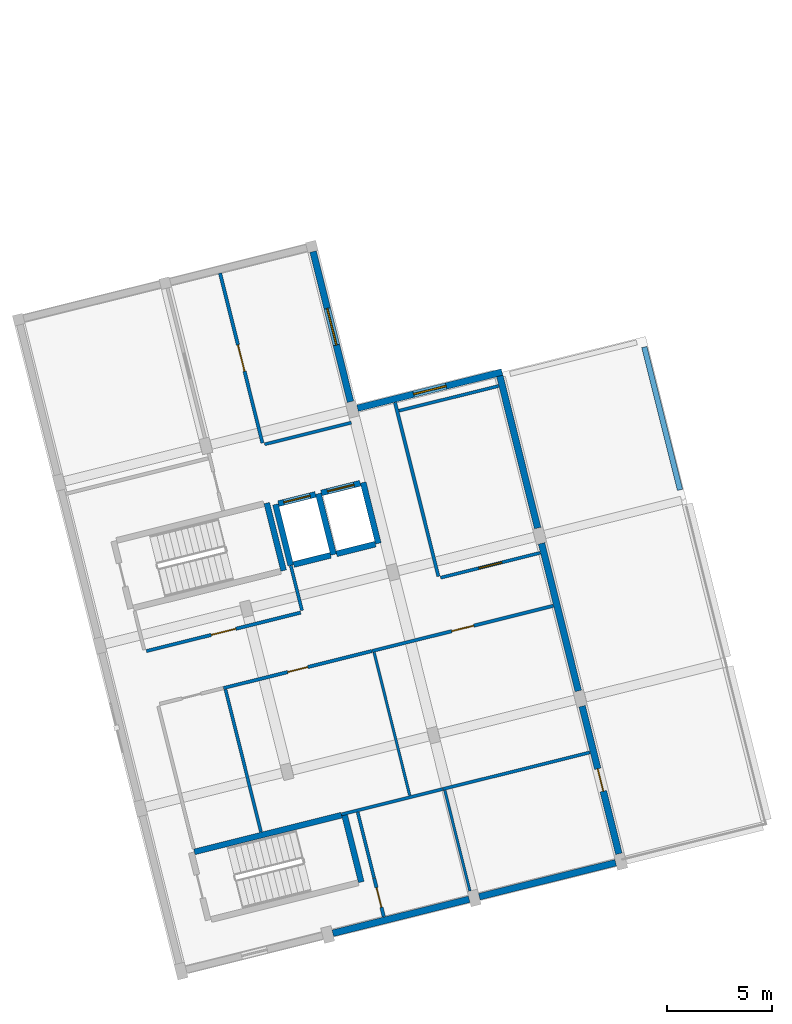
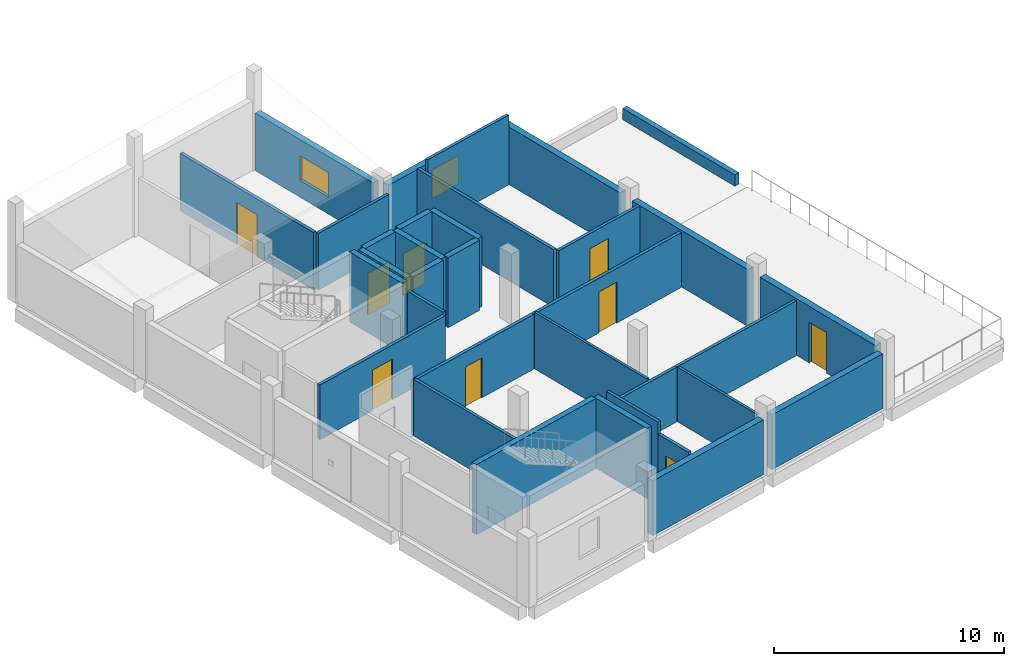
# One storey, part 8 of 14: 34 walls, 9 doors, 2 windows, 11 openings.
"""IFC4 building model written with IfcOpenShell, lengths in metres."""

from ifc_helpers import new_model, si_unit, direction, frame, frame_2d, origin, place, context, subcontext, project, spatial, rectangle, extrude, material, layer, layer_set, type_object, element, fill, save


model = new_model("IFC4")

# Units and contexts
model_context = context("Model", 3, precision=1e-05, world=origin(), true_north=direction((0.0, 1.0)))
body_context = subcontext(model_context, "Body", "Model", "MODEL_VIEW")
ifc_project = project(units=[si_unit("LENGTHUNIT", "METRE"), si_unit("AREAUNIT", "SQUARE_METRE"), si_unit("VOLUMEUNIT", "CUBIC_METRE"), si_unit("PLANEANGLEUNIT", "RADIAN"), si_unit("MASSUNIT", "GRAM", prefix="KILO")], contexts=[model_context])

# Site, building, storey
site_placement = place(None, origin())
site = spatial("IfcSite", under=ifc_project, at=site_placement, CompositionType="ELEMENT")
building_placement = place(site_placement, origin())
building = spatial("IfcBuilding", under=site, at=building_placement, Name="Mawjan Specialist Oncology Clinic", CompositionType="ELEMENT")
storey_placement = place(building_placement, frame((0.0, 0.0, 17.5)))
storey = spatial("IfcBuildingStorey", under=building, at=storey_placement, Name="L04", CompositionType="ELEMENT", Elevation=17.5)

# Wall, opening, window
ifc_material_1 = material(Name="Precast concrete C40/50", Category="concrete")
ifc_layer_1 = layer(ifc_material_1, 0.320068359375, Name="Precast concrete C40/50", Category="concrete")
ifc_layer_set_1 = layer_set([ifc_layer_1], Name="Precast concrete C40/50")
wall_type_1 = type_object("IfcWallType", Name="EW-320", PredefinedType="SOLIDWALL", material=ifc_layer_set_1)
wall_1_placement = place(storey_placement, frame((132.291259765625, 35.090576171875, 0.0), z_axis=(0.0, 0.0, 1.0), x_axis=(0.241920240952, -0.970296138825, 0.0)))
wall_1 = element("IfcWall", 1, at=wall_1_placement, inside=storey, type_object=wall_type_1, Name="L04 Coral-Limestone Exterior Wall EW-L04-326", PredefinedType="SOLIDWALL", context=body_context, shape_type="SweptSolid", body=[
    extrude(rectangle(XDim=7.375, YDim=0.320068359375, at=frame_2d((3.6875, 0.0))), origin(), (0.0, 0.0, 1.0), 3.054931640625),
])
opening_1_placement = place(wall_1_placement, frame((2.78759765625, 0.0, 0.89990234375)))
opening_1 = element("IfcOpeningElement", 2, at=opening_1_placement, cuts=wall_1, Name="Opening WN-21", PredefinedType="OPENING", context=body_context, shape_type="SweptSolid", body=[
    extrude(rectangle(XDim=1.800048828125, YDim=1.300048828125, at=frame_2d((0.89990234375, 0.64990234375))), frame((0.0, 0.172119140625, 0.0), z_axis=(0.0, -1.0, 0.0), x_axis=(1.0, 0.0, 0.0)), (0.0, 0.0, 1.0), 0.343994140625),
])
ifc_material_2 = material(Name="Thermally broken low-E clinical aluminium window", Category="aluminium")
window_type_1 = type_object("IfcWindowType", Name="WN-21", PartitioningType="DOUBLE_PANEL_VERTICAL", PredefinedType="WINDOW", material=ifc_material_2)
window_1_placement = place(opening_1_placement, origin())
window_1 = element("IfcWindow", 3, at=window_1_placement, inside=storey, type_object=window_type_1, Name="L04 Clinical Low-E Window 073", OverallHeight=1.300048828125, OverallWidth=1.800048828125, PartitioningType="DOUBLE_PANEL_VERTICAL", PredefinedType="WINDOW", context=body_context, shape_type="SweptSolid", body=[
    extrude(rectangle(XDim=1.800048828125, YDim=1.300048828125, at=frame_2d((0.89990234375, 0.64990234375))), frame((0.0, 0.030029296875, 0.0), z_axis=(0.0, -1.0, 0.0), x_axis=(1.0, 0.0, 0.0)), (0.0, 0.0, 1.0), 0.06005859375),
])
fill(opening_1, window_1)

wall_2_placement = place(storey_placement, frame((134.40869140625, 27.63134765625, 0.0), z_axis=(0.0, 0.0, 1.0), x_axis=(0.97030006528, 0.241904492141, 0.0)))
wall_2 = element("IfcWall", 4, at=wall_2_placement, inside=storey, type_object=wall_type_1, Name="L04 Coral-Limestone Exterior Wall EW-L04-327", PredefinedType="SOLIDWALL", context=body_context, shape_type="SweptSolid", body=[
    extrude(rectangle(XDim=7.10009765625, YDim=0.320068359375, at=frame_2d((3.550048828125, 0.0))), origin(), (0.0, 0.0, 1.0), 3.0048828125),
])
opening_2_placement = place(wall_2_placement, frame((2.75, 0.0, 0.89990234375)))
opening_2 = element("IfcOpeningElement", 5, at=opening_2_placement, cuts=wall_2, Name="Opening WN-18", PredefinedType="OPENING", context=body_context, shape_type="SweptSolid", body=[
    extrude(rectangle(XDim=1.60009765625, YDim=1.5, at=frame_2d((0.800048828125, 0.75))), frame((0.0, 0.172119140625, 0.0), z_axis=(0.0, -1.0, 0.0), x_axis=(1.0, 0.0, 0.0)), (0.0, 0.0, 1.0), 0.343994140625),
])
ifc_material_3 = material(Name="Thermally broken low-E clinical aluminium window", Category="aluminium")
window_type_2 = type_object("IfcWindowType", Name="WN-18", PartitioningType="DOUBLE_PANEL_VERTICAL", PredefinedType="WINDOW", material=ifc_material_3)
window_2_placement = place(opening_2_placement, origin())
window_2 = element("IfcWindow", 6, at=window_2_placement, inside=storey, type_object=window_type_2, Name="L04 Clinical Low-E Window 074", OverallHeight=1.5, OverallWidth=1.60009765625, PartitioningType="DOUBLE_PANEL_VERTICAL", PredefinedType="WINDOW", context=body_context, shape_type="SweptSolid", body=[
    extrude(rectangle(XDim=1.60009765625, YDim=1.5, at=frame_2d((0.800048828125, 0.75))), frame((0.0, 0.030029296875, 0.0), z_axis=(0.0, -1.0, 0.0), x_axis=(1.0, 0.0, 0.0)), (0.0, 0.0, 1.0), 0.06005859375),
])
fill(opening_2, window_2)

# Walls
wall_3_placement = place(storey_placement, frame((141.1884765625, 29.1669921875, 0.0), z_axis=(0.0, 0.0, 1.0), x_axis=(0.24192077913, -0.970296004643, 0.0)))
element("IfcWall", 7, at=wall_3_placement, inside=storey, type_object=wall_type_1, Name="L04 Coral-Limestone Exterior Wall EW-L04-328", PredefinedType="SOLIDWALL", context=body_context, shape_type="SweptSolid", body=[
    extrude(rectangle(XDim=7.474853515625, YDim=0.320068359375, at=frame_2d((3.7373046875, 0.0))), origin(), (0.0, 0.0, 1.0), 3.054931640625),
])
wall_4_placement = place(storey_placement, frame((143.178466796875, 21.186279296875, 0.0), z_axis=(0.0, 0.0, 1.0), x_axis=(0.241925454579, -0.970294838916, 0.0)))
element("IfcWall", 8, at=wall_4_placement, inside=storey, type_object=wall_type_1, Name="L04 Coral-Limestone Exterior Wall EW-L04-329", PredefinedType="SOLIDWALL", context=body_context, shape_type="SweptSolid", body=[
    extrude(rectangle(XDim=7.249755859375, YDim=0.320068359375, at=frame_2d((3.625, 0.0))), origin(), (0.0, 0.0, 1.0), 3.0048828125),
])

# Wall, opening, door
wall_5_placement = place(storey_placement, frame((145.11376953125, 13.424072265625, 0.0), z_axis=(0.0, 0.0, 1.0), x_axis=(0.241917549853, -0.970296809782, 0.0)))
wall_5 = element("IfcWall", 9, at=wall_5_placement, inside=storey, type_object=wall_type_1, Name="L04 Coral-Limestone Exterior Wall EW-L04-330", PredefinedType="SOLIDWALL", context=body_context, shape_type="SweptSolid", body=[
    extrude(rectangle(XDim=7.25, YDim=0.320068359375, at=frame_2d((3.625, 0.0))), origin(), (0.0, 0.0, 1.0), 3.0048828125),
])
opening_3_placement = place(wall_5_placement, frame((3.074951171875, 0.0, 0.0)))
opening_3 = element("IfcOpeningElement", 10, at=opening_3_placement, cuts=wall_5, Name="Opening DT-110", PredefinedType="OPENING", context=body_context, shape_type="SweptSolid", body=[
    extrude(rectangle(XDim=1.10009765625, YDim=2.14990234375, at=frame_2d((0.550048828125, 1.074951171875))), frame((0.0, 0.172119140625, 0.0), z_axis=(0.0, -1.0, 0.0), x_axis=(1.0, 0.0, 0.0)), (0.0, 0.0, 1.0), 0.343994140625),
])
ifc_material_4 = material(Name="Insulated marine-grade aluminium entrance assembly", Category="aluminium")
door_type_1 = type_object("IfcDoorType", Name="DT-110", OperationType="NOTDEFINED", PredefinedType="DOOR", material=ifc_material_4)
door_1_placement = place(opening_3_placement, origin())
door_1 = element("IfcDoor", 11, at=door_1_placement, inside=storey, type_object=door_type_1, Name="L04 Healing Terrace Access Door 5", OperationType="SINGLE_SWING_RIGHT", OverallHeight=2.14990234375, OverallWidth=1.10009765625, PredefinedType="DOOR", context=body_context, shape_type="SweptSolid", body=[
    extrude(rectangle(XDim=1.10009765625, YDim=2.14990234375, at=frame_2d((0.550048828125, 1.074951171875))), frame((0.0, 0.02490234375, 0.0), z_axis=(0.0, -1.0, 0.0), x_axis=(1.0, 0.0, 0.0)), (0.0, 0.0, 1.0), 0.050048828125),
])
fill(opening_3, door_1)

# Walls
for number, where, z_axis, x_axis, name in (
    (12, (146.7158203125, 5.965087890625, 0.0), (0.0, 0.0, 1.0), (-0.970296633454, -0.241918257079, 0.0), "L04 Coral-Limestone Exterior Wall EW-L04-331"),
    (13, (139.729736328125, 4.22314453125, 0.0), (0.0, 0.0, 1.0), (-0.970296633454, -0.241918257079, 0.0), "L04 Coral-Limestone Exterior Wall EW-L04-332"),
):
    element("IfcWall", number, at=place(storey_placement, frame(where, z_axis=z_axis, x_axis=x_axis)), inside=storey, type_object=wall_type_1, Name=name, PredefinedType="SOLIDWALL", context=body_context, shape_type="SweptSolid", body=[
        extrude(rectangle(XDim=6.699951171875, YDim=0.320068359375, at=frame_2d((3.35009765625, 0.0))), origin(), (0.0, 0.0, 1.0), 2.905029296875),
    ])
ifc_material_5 = material(Name="Precast concrete C40/50", Category="concrete")
ifc_layer_2 = layer(ifc_material_5, 0.260009765625, Name="Precast concrete C40/50", Category="concrete")
ifc_layer_set_2 = layer_set([ifc_layer_2], Name="Precast concrete C40/50")
wall_type_2 = type_object("IfcWallType", Name="PAR-260", PredefinedType="PARAPET", material=ifc_layer_set_2)
wall_6_placement = place(storey_placement, frame((148.079833984375, 30.545166015625, -0.080078125), z_axis=(0.0, 0.0, 1.0), x_axis=(0.24191366813, -0.970297777578, 0.0)))
element("IfcWall", 14, at=wall_6_placement, inside=storey, type_object=wall_type_2, Name="L04 Roof Parapet Upstand 27", PredefinedType="PARAPET", context=body_context, shape_type="SweptSolid", body=[
    extrude(rectangle(XDim=7.02001953125, YDim=0.260009765625, at=frame_2d((3.510009765625, 0.0))), origin(), (0.0, 0.0, 1.0), 0.60009765625),
])
ifc_material_6 = material(Name="Concrete C45/55", Category="concrete")
ifc_layer_3 = layer(ifc_material_6, 0.280029296875, Name="Concrete C45/55", Category="concrete")
ifc_layer_set_3 = layer_set([ifc_layer_3], Name="Concrete C45/55")
wall_type_3 = type_object("IfcWallType", Name="SW-300", PredefinedType="SHEAR", material=ifc_layer_set_3)
wall_7_placement = place(storey_placement, frame((130.886962890625, 19.889404296875, 0.0), z_axis=(0.0, 0.0, 1.0), x_axis=(-0.241947258837, 0.970289402158, 0.0)))
element("IfcWall", 15, at=wall_7_placement, inside=storey, type_object=wall_type_3, Name="L04 Core K5 Stair Shear Wall 2", PredefinedType="SHEAR", context=body_context, shape_type="SweptSolid", body=[
    extrude(rectangle(XDim=3.31982421875, YDim=0.280029296875, at=frame_2d((1.659912109375, 0.0))), origin(), (0.0, 0.0, 1.0), 3.719970703125),
])
wall_8_placement = place(storey_placement, frame((131.36328125, 20.17578125, 0.0), z_axis=(0.0, 0.0, 1.0), x_axis=(0.970284587517, 0.241966566341, 0.0)))
element("IfcWall", 16, at=wall_8_placement, inside=storey, type_object=wall_type_3, Name="L04 LF-01 Hoistway Wall 1", PredefinedType="SHEAR", context=body_context, shape_type="SweptSolid", body=[
    extrude(rectangle(XDim=1.817138671875, YDim=0.280029296875, at=frame_2d((0.90869140625, 0.0))), origin(), (0.0, 0.0, 1.0), 3.719970703125),
])
wall_9_placement = place(storey_placement, frame((133.26708984375, 20.650634765625, 0.0), z_axis=(0.0, 0.0, 1.0), x_axis=(-0.241921647353, 0.970295788171, 0.0)))
element("IfcWall", 17, at=wall_9_placement, inside=storey, type_object=wall_type_3, Name="L04 LF-01 Hoistway Wall 2", PredefinedType="SHEAR", context=body_context, shape_type="SweptSolid", body=[
    extrude(rectangle(XDim=2.994140625, YDim=0.280029296875, at=frame_2d((1.4970703125, 0.0))), origin(), (0.0, 0.0, 1.0), 3.719970703125),
])

# Wall, opening, door
wall_10_placement = place(storey_placement, frame((132.402099609375, 23.52099609375, 0.0), z_axis=(0.0, 0.0, 1.0), x_axis=(-0.970284587517, -0.241966566341, 0.0)))
wall_10 = element("IfcWall", 18, at=wall_10_placement, inside=storey, type_object=wall_type_3, Name="L04 LF-01 Hoistway Wall 3", PredefinedType="SHEAR", context=body_context, shape_type="SweptSolid", body=[
    extrude(rectangle(XDim=1.817138671875, YDim=0.280029296875, at=frame_2d((0.90869140625, 0.0))), origin(), (0.0, 0.0, 1.0), 3.719970703125),
])
opening_4_placement = place(wall_10_placement, frame((0.258544921875, 0.0, 0.0)))
opening_4 = element("IfcOpeningElement", 19, at=opening_4_placement, cuts=wall_10, Name="Opening LD-01-L04", PredefinedType="OPENING", context=body_context, shape_type="SweptSolid", body=[
    extrude(rectangle(XDim=1.300048828125, YDim=2.199951171875, at=frame_2d((0.64990234375, 1.10009765625))), frame((0.0, 0.152099609375, 0.0), z_axis=(0.0, -1.0, 0.0), x_axis=(1.0, 0.0, 0.0)), (0.0, 0.0, 1.0), 0.303955078125),
])
ifc_material_7 = material(Name="Stainless-steel fire-rated hospital door", Category="steel")
door_type_2 = type_object("IfcDoorType", Name="LD-130", OperationType="SLIDING_TO_LEFT", PredefinedType="DOOR", material=ifc_material_7)
door_2_placement = place(opening_4_placement, origin())
door_2 = element("IfcDoor", 20, at=door_2_placement, inside=storey, type_object=door_type_2, Name="L04 LF-01 Sliding Lift Landing Door", OperationType="SLIDING_TO_LEFT", OverallHeight=2.199951171875, OverallWidth=1.300048828125, PredefinedType="DOOR", context=body_context, shape_type="SweptSolid", body=[
    extrude(rectangle(XDim=1.300048828125, YDim=2.199951171875, at=frame_2d((0.64990234375, 1.10009765625))), frame((0.0, 0.02490234375, 0.0), z_axis=(0.0, -1.0, 0.0), x_axis=(1.0, 0.0, 0.0)), (0.0, 0.0, 1.0), 0.050048828125),
])
fill(opening_4, door_2)

# Walls
wall_11_placement = place(storey_placement, frame((130.498291015625, 23.046142578125, 0.0), z_axis=(0.0, 0.0, 1.0), x_axis=(0.241921647353, -0.970295788171, 0.0)))
element("IfcWall", 21, at=wall_11_placement, inside=storey, type_object=wall_type_3, Name="L04 LF-01 Hoistway Wall 4", PredefinedType="SHEAR", context=body_context, shape_type="SweptSolid", body=[
    extrude(rectangle(XDim=2.994140625, YDim=0.280029296875, at=frame_2d((1.4970703125, 0.0))), origin(), (0.0, 0.0, 1.0), 3.719970703125),
])
wall_12_placement = place(storey_placement, frame((133.407958984375, 20.685546875, 0.0), z_axis=(0.0, 0.0, 1.0), x_axis=(0.970285190026, 0.241964150272, 0.0)))
element("IfcWall", 22, at=wall_12_placement, inside=storey, type_object=wall_type_3, Name="L04 LF-02 Hoistway Wall 1", PredefinedType="SHEAR", context=body_context, shape_type="SweptSolid", body=[
    extrude(rectangle(XDim=1.909912109375, YDim=0.280029296875, at=frame_2d((0.955078125, 0.0))), origin(), (0.0, 0.0, 1.0), 3.719970703125),
])
wall_13_placement = place(storey_placement, frame((135.40185546875, 21.182861328125, 0.0), z_axis=(0.0, 0.0, 1.0), x_axis=(-0.241921647353, 0.970295788171, 0.0)))
element("IfcWall", 23, at=wall_13_placement, inside=storey, type_object=wall_type_3, Name="L04 LF-02 Hoistway Wall 2", PredefinedType="SHEAR", context=body_context, shape_type="SweptSolid", body=[
    extrude(rectangle(XDim=2.994140625, YDim=0.280029296875, at=frame_2d((1.4970703125, 0.0))), origin(), (0.0, 0.0, 1.0), 3.719970703125),
])

# Wall, opening, door
wall_14_placement = place(storey_placement, frame((134.53662109375, 24.05322265625, 0.0), z_axis=(0.0, 0.0, 1.0), x_axis=(-0.970285190026, -0.241964150272, 0.0)))
wall_14 = element("IfcWall", 24, at=wall_14_placement, inside=storey, type_object=wall_type_3, Name="L04 LF-02 Hoistway Wall 3", PredefinedType="SHEAR", context=body_context, shape_type="SweptSolid", body=[
    extrude(rectangle(XDim=1.909912109375, YDim=0.280029296875, at=frame_2d((0.955078125, 0.0))), origin(), (0.0, 0.0, 1.0), 3.719970703125),
])
opening_5_placement = place(wall_14_placement, frame((0.304931640625, 0.0, 0.0)))
opening_5 = element("IfcOpeningElement", 25, at=opening_5_placement, cuts=wall_14, Name="Opening LD-02-L04", PredefinedType="OPENING", context=body_context, shape_type="SweptSolid", body=[
    extrude(rectangle(XDim=1.300048828125, YDim=2.199951171875, at=frame_2d((0.64990234375, 1.10009765625))), frame((0.0, 0.152099609375, 0.0), z_axis=(0.0, -1.0, 0.0), x_axis=(1.0, 0.0, 0.0)), (0.0, 0.0, 1.0), 0.303955078125),
])
door_3_placement = place(opening_5_placement, origin())
door_3 = element("IfcDoor", 26, at=door_3_placement, inside=storey, type_object=door_type_2, Name="L04 LF-02 Sliding Lift Landing Door", OperationType="SLIDING_TO_RIGHT", OverallHeight=2.199951171875, OverallWidth=1.300048828125, PredefinedType="DOOR", context=body_context, shape_type="SweptSolid", body=[
    extrude(rectangle(XDim=1.300048828125, YDim=2.199951171875, at=frame_2d((0.64990234375, 1.10009765625))), frame((0.0, 0.02490234375, 0.0), z_axis=(0.0, -1.0, 0.0), x_axis=(1.0, 0.0, 0.0)), (0.0, 0.0, 1.0), 0.050048828125),
])
fill(opening_5, door_3)

# Walls
wall_15_placement = place(storey_placement, frame((134.58837890625, 5.043701171875, 0.0), z_axis=(0.0, 0.0, 1.0), x_axis=(-0.241929995817, 0.970293706629, 0.0)))
element("IfcWall", 27, at=wall_15_placement, inside=storey, type_object=wall_type_3, Name="L04 Core K6 Stair Shear Wall 2", PredefinedType="SHEAR", context=body_context, shape_type="SweptSolid", body=[
    extrude(rectangle(XDim=3.320068359375, YDim=0.280029296875, at=frame_2d((1.66015625, 0.0))), origin(), (0.0, 0.0, 1.0), 3.719970703125),
])
wall_16_placement = place(storey_placement, frame((133.64453125, 8.22998046875, 0.0), z_axis=(0.0, 0.0, 1.0), x_axis=(-0.970297238923, -0.241915828623, 0.0)))
element("IfcWall", 28, at=wall_16_placement, inside=storey, type_object=wall_type_3, Name="L04 Core K6 Stair Shear Wall 3", PredefinedType="SHEAR", context=body_context, shape_type="SweptSolid", body=[
    extrude(rectangle(XDim=7.22998046875, YDim=0.280029296875, at=frame_2d((3.614990234375, 0.0))), origin(), (0.0, 0.0, 1.0), 3.719970703125),
])
ifc_material_8 = material(Name="Moisture-resistant washroom partition", Category="gypsum")
ifc_layer_4 = layer(ifc_material_8, 0.125, Name="Moisture-resistant washroom partition", Category="gypsum")
ifc_layer_set_4 = layer_set([ifc_layer_4], Name="Moisture-resistant washroom partition")
wall_type_4 = type_object("IfcWallType", Name="WP-125", PredefinedType="PARTITIONING", material=ifc_layer_set_4)
wall_17_placement = place(storey_placement, frame((139.765869140625, 4.615478515625, 0.0), z_axis=(0.0, 0.0, 1.0), x_axis=(-0.241908041606, 0.970299180359, 0.0)))
element("IfcWall", 29, at=wall_17_placement, inside=storey, type_object=wall_type_4, Name="L04 Interior Partition W-RINT-L04-RSE-E", PredefinedType="PARTITIONING", context=body_context, shape_type="SweptSolid", body=[
    extrude(rectangle(XDim=4.943115234375, YDim=0.125, at=frame_2d((2.4716796875, 0.0))), origin(), (0.0, 0.0, 1.0), 2.905029296875),
])
wall_18_placement = place(storey_placement, frame((136.898193359375, 9.172119140625, 0.0), z_axis=(0.0, 0.0, 1.0), x_axis=(-0.241913757308, 0.970297755344, 0.0)))
element("IfcWall", 30, at=wall_18_placement, inside=storey, type_object=wall_type_4, Name="L04 Interior Partition W-RINT-L04-RAS2-E", PredefinedType="PARTITIONING", context=body_context, shape_type="SweptSolid", body=[
    extrude(rectangle(XDim=7.02099609375, YDim=0.125, at=frame_2d((3.510498046875, 0.0))), origin(), (0.0, 0.0, 1.0), 3.0048828125),
])

# Wall, opening, door
ifc_material_9 = material(Name="Acoustic gypsum clinical partition", Category="gypsum")
ifc_layer_5 = layer(ifc_material_9, 0.14990234375, Name="Acoustic gypsum clinical partition", Category="gypsum")
ifc_layer_set_5 = layer_set([ifc_layer_5], Name="Acoustic gypsum clinical partition")
wall_type_5 = type_object("IfcWallType", Name="WP-150", PredefinedType="PARTITIONING", material=ifc_layer_set_5)
wall_19_placement = place(storey_placement, frame((138.36669921875, 19.548583984375, 0.0), z_axis=(0.0, 0.0, 1.0), x_axis=(0.970289077222, 0.241948561938, 0.0)))
wall_19 = element("IfcWall", 31, at=wall_19_placement, inside=storey, type_object=wall_type_5, Name="L04 Interior Partition W-RINT-L04-RDE1-S", PredefinedType="PARTITIONING", context=body_context, shape_type="SweptSolid", body=[
    extrude(rectangle(XDim=4.892822265625, YDim=0.14990234375, at=frame_2d((2.4462890625, 0.0))), origin(), (0.0, 0.0, 1.0), 3.0048828125),
])
opening_6_placement = place(wall_19_placement, frame((1.886474609375, 0.0, 0.0)))
opening_6 = element("IfcOpeningElement", 32, at=opening_6_placement, cuts=wall_19, Name="Opening DI-112", PredefinedType="OPENING", context=body_context, shape_type="SweptSolid", body=[
    extrude(rectangle(XDim=1.1201171875, YDim=2.199951171875, at=frame_2d((0.56005859375, 1.10009765625))), frame((0.0, 0.0869140625, 0.0), z_axis=(0.0, -1.0, 0.0), x_axis=(1.0, 0.0, 0.0)), (0.0, 0.0, 1.0), 0.173828125),
])
ifc_material_10 = material(Name="Acoustic laminate hospital door leaf", Category="wood")
door_type_3 = type_object("IfcDoorType", Name="DI-112", OperationType="NOTDEFINED", PredefinedType="DOOR", material=ifc_material_10)
door_4_placement = place(opening_6_placement, origin())
door_4 = element("IfcDoor", 33, at=door_4_placement, inside=storey, type_object=door_type_3, Name="L04 East Academic Seminar Room Door", OperationType="SINGLE_SWING_RIGHT", OverallHeight=2.199951171875, OverallWidth=1.1201171875, PredefinedType="DOOR", context=body_context, shape_type="SweptSolid", body=[
    extrude(rectangle(XDim=1.1201171875, YDim=2.199951171875, at=frame_2d((0.56005859375, 1.10009765625))), frame((0.0, 0.02490234375, 0.0), z_axis=(0.0, -1.0, 0.0), x_axis=(1.0, 0.0, 0.0)), (0.0, 0.0, 1.0), 0.050048828125),
])
fill(opening_6, door_4)

# Walls
wall_20_placement = place(storey_placement, frame((131.7626953125, 17.98974609375, 0.0), z_axis=(0.0, 0.0, 1.0), x_axis=(-0.241962612769, 0.970285573438, 0.0)))
element("IfcWall", 34, at=wall_20_placement, inside=storey, type_object=wall_type_5, Name="L04 Interior Partition W-RINT-L04-RKS-E", PredefinedType="PARTITIONING", context=body_context, shape_type="SweptSolid", body=[
    extrude(rectangle(XDim=2.20556640625, YDim=0.14990234375, at=frame_2d((1.102783203125, 0.0))), origin(), (0.0, 0.0, 1.0), 3.0048828125),
])
wall_21_placement = place(storey_placement, frame((133.646484375, 8.271728515625, 0.0), z_axis=(0.0, 0.0, 1.0), x_axis=(0.970295511907, 0.241922755387, 0.0)))
element("IfcWall", 35, at=wall_21_placement, inside=storey, type_object=wall_type_5, Name="L04 Interior Partition W-RINT-L04-RSE-N", PredefinedType="PARTITIONING", context=body_context, shape_type="SweptSolid", body=[
    extrude(rectangle(XDim=4.968017578125, YDim=0.14990234375, at=frame_2d((2.48388671875, 0.0))), origin(), (0.0, 0.0, 1.0), 2.905029296875),
])
wall_22_placement = place(storey_placement, frame((135.200439453125, 5.234619140625, 0.0), z_axis=(0.0, 0.0, 1.0), x_axis=(-0.241878748512, 0.970306483034, 0.0)))
element("IfcWall", 36, at=wall_22_placement, inside=storey, type_object=wall_type_5, Name="L04 Interior Partition W-RINT-L04-RSE-WB", PredefinedType="PARTITIONING", context=body_context, shape_type="SweptSolid", body=[
    extrude(rectangle(XDim=3.236083984375, YDim=0.14990234375, at=frame_2d((1.6181640625, 0.0))), origin(), (0.0, 0.0, 1.0), 3.699951171875),
])
wall_23_placement = place(storey_placement, frame((129.80908203125, 7.430419921875, 0.0), z_axis=(0.0, 0.0, 1.0), x_axis=(-0.241903328994, 0.970300355262, 0.0)))
element("IfcWall", 37, at=wall_23_placement, inside=storey, type_object=wall_type_5, Name="L04 Interior Partition W-RINT-L04-RAS1-E", PredefinedType="PARTITIONING", context=body_context, shape_type="SweptSolid", body=[
    extrude(rectangle(XDim=6.99609375, YDim=0.14990234375, at=frame_2d((3.498046875, 0.0))), origin(), (0.0, 0.0, 1.0), 3.0048828125),
])
wall_24_placement = place(storey_placement, frame((138.478515625, 9.4765625, 0.0), z_axis=(0.0, 0.0, 1.0), x_axis=(0.970299411415, 0.241907114836, 0.0)))
element("IfcWall", 38, at=wall_24_placement, inside=storey, type_object=wall_type_5, Name="L04 Interior Partition W-RINT-L04-RBS3-S", PredefinedType="PARTITIONING", context=body_context, shape_type="SweptSolid", body=[
    extrude(rectangle(XDim=7.220947265625, YDim=0.14990234375, at=frame_2d((3.6103515625, 0.0))), origin(), (0.0, 0.0, 1.0), 2.905029296875),
])
wall_25_placement = place(storey_placement, frame((136.3828125, 27.505126953125, 0.0), z_axis=(0.0, 0.0, 1.0), x_axis=(0.970303709543, 0.241889874215, 0.0)))
element("IfcWall", 39, at=wall_25_placement, inside=storey, type_object=wall_type_5, Name="L04 Interior Partition W-RINT-L04-RDE1-N", PredefinedType="PARTITIONING", context=body_context, shape_type="SweptSolid", body=[
    extrude(rectangle(XDim=4.89306640625, YDim=0.14990234375, at=frame_2d((2.446533203125, 0.0))), origin(), (0.0, 0.0, 1.0), 3.699951171875),
])
wall_26_placement = place(storey_placement, frame((129.97900390625, 25.908447265625, 0.0), z_axis=(0.0, 0.0, 1.0), x_axis=(0.970297382189, 0.241915254, 0.0)))
element("IfcWall", 40, at=wall_26_placement, inside=storey, type_object=wall_type_5, Name="L04 Interior Partition W-RINT-L04-RNE1-S", PredefinedType="PARTITIONING", context=body_context, shape_type="SweptSolid", body=[
    extrude(rectangle(XDim=4.259765625, YDim=0.14990234375, at=frame_2d((2.1298828125, 0.0))), origin(), (0.0, 0.0, 1.0), 3.0048828125),
])

# Wall, opening, door
ifc_material_11 = material(Name="Acoustic clinical twin-stud partition", Category="gypsum")
ifc_layer_6 = layer(ifc_material_11, 0.159912109375, Name="Acoustic clinical twin-stud partition", Category="gypsum")
ifc_layer_set_6 = layer_set([ifc_layer_6], Name="Acoustic clinical twin-stud partition")
wall_type_6 = type_object("IfcWallType", Name="WP-160", PredefinedType="PARTITIONING", material=ifc_layer_set_6)
wall_27_placement = place(storey_placement, frame((124.345947265625, 16.052978515625, 0.0), z_axis=(0.0, 0.0, 1.0), x_axis=(0.970295772287, 0.241921711059, 0.0)))
wall_27 = element("IfcWall", 41, at=wall_27_placement, inside=storey, type_object=wall_type_6, Name="L04 Interior Partition W-RINT-L04-RKS-S", PredefinedType="PARTITIONING", context=body_context, shape_type="SweptSolid", body=[
    extrude(rectangle(XDim=7.579833984375, YDim=0.159912109375, at=frame_2d((3.7900390625, 0.0))), origin(), (0.0, 0.0, 1.0), 2.905029296875),
])
opening_7_placement = place(wall_27_placement, frame((3.18994140625, 0.0, 0.0)))
opening_7 = element("IfcOpeningElement", 42, at=opening_7_placement, cuts=wall_27, Name="Opening DC-120", PredefinedType="OPENING", context=body_context, shape_type="SweptSolid", body=[
    extrude(rectangle(XDim=1.199951171875, YDim=2.14990234375, at=frame_2d((0.60009765625, 1.074951171875))), frame((0.0, 0.092041015625, 0.0), z_axis=(0.0, -1.0, 0.0), x_axis=(1.0, 0.0, 0.0)), (0.0, 0.0, 1.0), 0.183837890625),
])
ifc_material_12 = material(Name="Acoustic laminate hospital door leaf", Category="wood")
door_type_4 = type_object("IfcDoorType", Name="DC-120", OperationType="NOTDEFINED", PredefinedType="DOOR", material=ifc_material_12)
door_5_placement = place(opening_7_placement, origin())
door_5 = element("IfcDoor", 43, at=door_5_placement, inside=storey, type_object=door_type_4, Name="L04 Research Clean Supply Room Door", OperationType="SINGLE_SWING_LEFT", OverallHeight=2.14990234375, OverallWidth=1.199951171875, PredefinedType="DOOR", context=body_context, shape_type="SweptSolid", body=[
    extrude(rectangle(XDim=1.199951171875, YDim=2.14990234375, at=frame_2d((0.60009765625, 1.074951171875))), frame((0.0, 0.02490234375, 0.0), z_axis=(0.0, -1.0, 0.0), x_axis=(1.0, 0.0, 0.0)), (0.0, 0.0, 1.0), 0.050048828125),
])
fill(opening_7, door_5)

wall_28_placement = place(storey_placement, frame((135.661376953125, 3.38623046875, 0.0), z_axis=(0.0, 0.0, 1.0), x_axis=(-0.241958983593, 0.970286478448, 0.0)))
wall_28 = element("IfcWall", 44, at=wall_28_placement, inside=storey, type_object=wall_type_6, Name="L04 Interior Partition W-RINT-L04-RSE-W", PredefinedType="PARTITIONING", context=body_context, shape_type="SweptSolid", body=[
    extrude(rectangle(XDim=1.892822265625, YDim=0.159912109375, at=frame_2d((0.9462890625, 0.0))), origin(), (0.0, 0.0, 1.0), 3.054931640625),
])
opening_8_placement = place(wall_28_placement, frame((0.471435546875, 0.0, 0.0)))
opening_8 = element("IfcOpeningElement", 45, at=opening_8_placement, cuts=wall_28, Name="Opening DA-95", PredefinedType="OPENING", context=body_context, shape_type="SweptSolid", body=[
    extrude(rectangle(XDim=0.949951171875, YDim=2.14990234375, at=frame_2d((0.47509765625, 1.074951171875))), frame((0.0, 0.092041015625, 0.0), z_axis=(0.0, -1.0, 0.0), x_axis=(1.0, 0.0, 0.0)), (0.0, 0.0, 1.0), 0.183837890625),
])
ifc_material_13 = material(Name="Acoustic laminate hospital door leaf", Category="wood")
door_type_5 = type_object("IfcDoorType", Name="DA-95", OperationType="NOTDEFINED", PredefinedType="DOOR", material=ifc_material_13)
door_6_placement = place(opening_8_placement, origin())
door_6 = element("IfcDoor", 46, at=door_6_placement, inside=storey, type_object=door_type_5, Name="L04 Clinical Protocol Review Office Door", OperationType="SINGLE_SWING_LEFT", OverallHeight=2.14990234375, OverallWidth=0.949951171875, PredefinedType="DOOR", context=body_context, shape_type="SweptSolid", body=[
    extrude(rectangle(XDim=0.949951171875, YDim=2.14990234375, at=frame_2d((0.47509765625, 1.074951171875))), frame((0.0, 0.02490234375, 0.0), z_axis=(0.0, -1.0, 0.0), x_axis=(1.0, 0.0, 0.0)), (0.0, 0.0, 1.0), 0.050048828125),
])
fill(opening_8, door_6)

wall_29_placement = place(storey_placement, frame((128.0234375, 14.290283203125, 0.0), z_axis=(0.0, 0.0, 1.0), x_axis=(0.970294040363, 0.241928657328, 0.0)))
wall_29 = element("IfcWall", 47, at=wall_29_placement, inside=storey, type_object=wall_type_6, Name="L04 Interior Partition W-RINT-L04-RAS2-N", PredefinedType="PARTITIONING", context=body_context, shape_type="SweptSolid", body=[
    extrude(rectangle(XDim=7.2880859375, YDim=0.159912109375, at=frame_2d((3.64404296875, 0.0))), origin(), (0.0, 0.0, 1.0), 2.905029296875),
])
opening_9_placement = place(wall_29_placement, frame((3.154052734375, 0.0, 0.0)))
opening_9 = element("IfcOpeningElement", 48, at=opening_9_placement, cuts=wall_29, Name="Opening DI-98", PredefinedType="OPENING", context=body_context, shape_type="SweptSolid", body=[
    extrude(rectangle(XDim=0.97998046875, YDim=2.1201171875, at=frame_2d((0.489990234375, 1.06005859375))), frame((0.0, 0.092041015625, 0.0), z_axis=(0.0, -1.0, 0.0), x_axis=(1.0, 0.0, 0.0)), (0.0, 0.0, 1.0), 0.183837890625),
])
ifc_material_14 = material(Name="Acoustic laminate hospital door leaf", Category="wood")
door_type_6 = type_object("IfcDoorType", Name="DI-98", OperationType="NOTDEFINED", PredefinedType="DOOR", material=ifc_material_14)
door_7_placement = place(opening_9_placement, origin())
door_7 = element("IfcDoor", 49, at=door_7_placement, inside=storey, type_object=door_type_6, Name="L04 Medical Oncology Library Door", OperationType="SINGLE_SWING_RIGHT", OverallHeight=2.1201171875, OverallWidth=0.97998046875, PredefinedType="DOOR", context=body_context, shape_type="SweptSolid", body=[
    extrude(rectangle(XDim=0.97998046875, YDim=2.1201171875, at=frame_2d((0.489990234375, 1.06005859375))), frame((0.0, 0.02490234375, 0.0), z_axis=(0.0, -1.0, 0.0), x_axis=(1.0, 0.0, 0.0)), (0.0, 0.0, 1.0), 0.050048828125),
])
fill(opening_9, door_7)

wall_30_placement = place(storey_placement, frame((135.106689453125, 16.056396484375, 0.0), z_axis=(0.0, 0.0, 1.0), x_axis=(0.970295585276, 0.24192246112, 0.0)))
wall_30 = element("IfcWall", 50, at=wall_30_placement, inside=storey, type_object=wall_type_6, Name="L04 Interior Partition W-RINT-L04-RBS3-N", PredefinedType="PARTITIONING", context=body_context, shape_type="SweptSolid", body=[
    extrude(rectangle(XDim=8.90087890625, YDim=0.159912109375, at=frame_2d((4.450439453125, 0.0))), origin(), (0.0, 0.0, 1.0), 2.905029296875),
])
opening_10_placement = place(wall_30_placement, frame((3.910400390625, 0.0, 0.0)))
opening_10 = element("IfcOpeningElement", 51, at=opening_10_placement, cuts=wall_30, Name="Opening DI-108", PredefinedType="OPENING", context=body_context, shape_type="SweptSolid", body=[
    extrude(rectangle(XDim=1.080078125, YDim=2.179931640625, at=frame_2d((0.5400390625, 1.08984375))), frame((0.0, 0.092041015625, 0.0), z_axis=(0.0, -1.0, 0.0), x_axis=(1.0, 0.0, 0.0)), (0.0, 0.0, 1.0), 0.183837890625),
])
ifc_material_15 = material(Name="Acoustic laminate hospital door leaf", Category="wood")
door_type_7 = type_object("IfcDoorType", Name="DI-108", OperationType="NOTDEFINED", PredefinedType="DOOR", material=ifc_material_15)
door_8_placement = place(opening_10_placement, origin())
door_8 = element("IfcDoor", 52, at=door_8_placement, inside=storey, type_object=door_type_7, Name="L04 Clinical Epidemiology Suite Door", OperationType="SINGLE_SWING_LEFT", OverallHeight=2.179931640625, OverallWidth=1.080078125, PredefinedType="DOOR", context=body_context, shape_type="SweptSolid", body=[
    extrude(rectangle(XDim=1.080078125, YDim=2.179931640625, at=frame_2d((0.5400390625, 1.08984375))), frame((0.0, 0.02490234375, 0.0), z_axis=(0.0, -1.0, 0.0), x_axis=(1.0, 0.0, 0.0)), (0.0, 0.0, 1.0), 0.050048828125),
])
fill(opening_10, door_8)

wall_31_placement = place(storey_placement, frame((129.8759765625, 25.97021484375, 0.0), z_axis=(0.0, 0.0, 1.0), x_axis=(-0.241943441893, 0.970290353928, 0.0)))
wall_31 = element("IfcWall", 53, at=wall_31_placement, inside=storey, type_object=wall_type_6, Name="L04 Interior Partition W-RINT-L04-RNE1-W", PredefinedType="PARTITIONING", context=body_context, shape_type="SweptSolid", body=[
    extrude(rectangle(XDim=8.343017578125, YDim=0.159912109375, at=frame_2d((4.17138671875, 0.0))), origin(), (0.0, 0.0, 1.0), 3.054931640625),
])
opening_11_placement = place(wall_31_placement, frame((3.531494140625, 0.0, 0.0)))
opening_11 = element("IfcOpeningElement", 54, at=opening_11_placement, cuts=wall_31, Name="Opening DC-128", PredefinedType="OPENING", context=body_context, shape_type="SweptSolid", body=[
    extrude(rectangle(XDim=1.280029296875, YDim=2.219970703125, at=frame_2d((0.64013671875, 1.10986328125))), frame((0.0, 0.092041015625, 0.0), z_axis=(0.0, -1.0, 0.0), x_axis=(1.0, 0.0, 0.0)), (0.0, 0.0, 1.0), 0.183837890625),
])
ifc_material_16 = material(Name="Acoustic laminate hospital door leaf", Category="wood")
door_type_8 = type_object("IfcDoorType", Name="DC-128", OperationType="NOTDEFINED", PredefinedType="DOOR", material=ifc_material_16)
door_9_placement = place(opening_11_placement, origin())
door_9 = element("IfcDoor", 55, at=door_9_placement, inside=storey, type_object=door_type_8, Name="L04 Molecular Diagnostics Wet Lab Door", OperationType="SINGLE_SWING_RIGHT", OverallHeight=2.219970703125, OverallWidth=1.280029296875, PredefinedType="DOOR", context=body_context, shape_type="SweptSolid", body=[
    extrude(rectangle(XDim=1.280029296875, YDim=2.219970703125, at=frame_2d((0.64013671875, 1.10986328125))), frame((0.0, 0.02490234375, 0.0), z_axis=(0.0, -1.0, 0.0), x_axis=(1.0, 0.0, 0.0)), (0.0, 0.0, 1.0), 0.050048828125),
])
fill(opening_11, door_9)

# Wall
wall_32_placement = place(storey_placement, frame((138.263671875, 19.610595703125, 0.0), z_axis=(0.0, 0.0, 1.0), x_axis=(-0.241937132378, 0.970291927193, 0.0)))
element("IfcWall", 56, at=wall_32_placement, inside=storey, type_object=wall_type_6, Name="L04 Interior Partition W-RINT-L04-RDE1-W", PredefinedType="PARTITIONING", context=body_context, shape_type="SweptSolid", body=[
    extrude(rectangle(XDim=8.543212890625, YDim=0.159912109375, at=frame_2d((4.271484375, 0.0))), origin(), (0.0, 0.0, 1.0), 3.054931640625),
])

save(model, "model.ifc")
